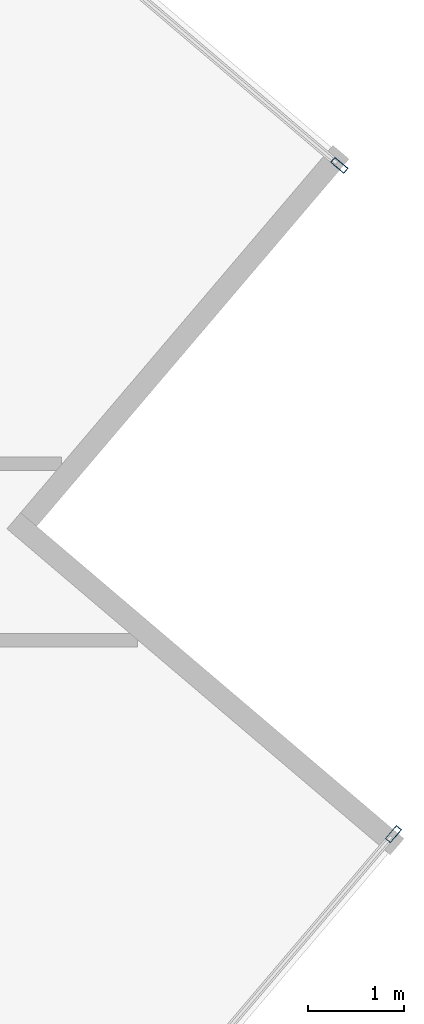
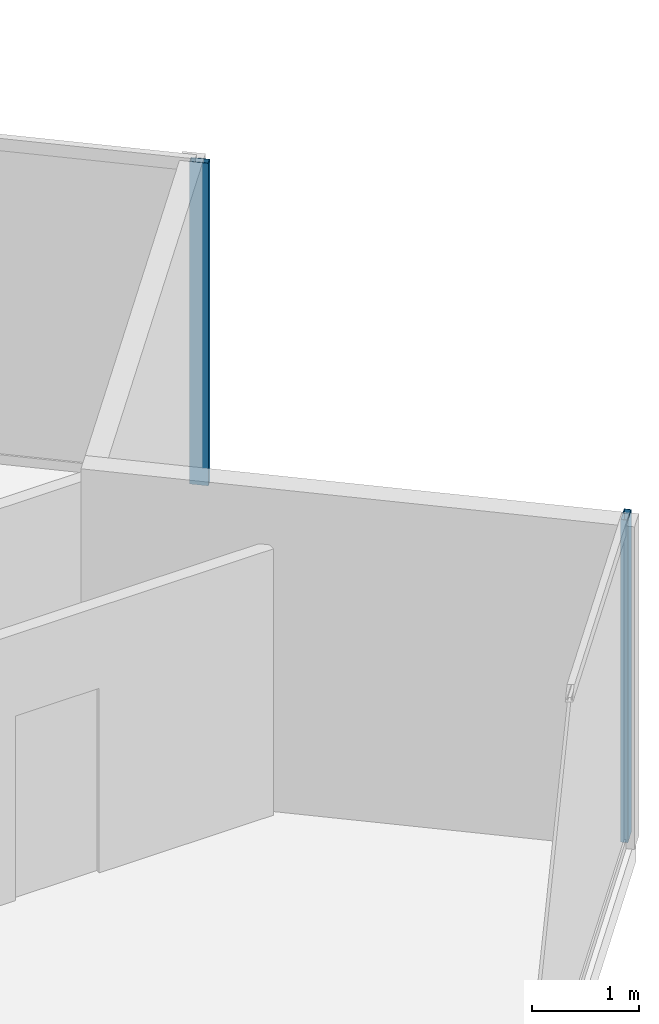
# One storey, part 13 of 26: 2 members, 2 elements without a shape of their own.
"""IFC4 building model written with IfcOpenShell, lengths in metres."""

from ifc_helpers import new_model, si_unit, direction, frame, origin, origin_2d, place, context, subcontext, project, spatial, hollow_rectangle, extrude, source, transform, mapped, material, material_profile, profile_set, type_object, type_shapes, element, aggregate, save


model = new_model("IFC4")

# Units and contexts
model_context = context("Model", 3, precision=1e-05, world=origin(), true_north=direction((0.0, 1.0)))
body_context = subcontext(model_context, "Body", "Model", "MODEL_VIEW")
ifc_project = project(units=[si_unit("LENGTHUNIT", "METRE"), si_unit("AREAUNIT", "SQUARE_METRE"), si_unit("VOLUMEUNIT", "CUBIC_METRE"), si_unit("PLANEANGLEUNIT", "RADIAN"), si_unit("MASSUNIT", "GRAM", prefix="KILO")], contexts=[model_context])

# Site, building, storey
site_placement = place(None, origin())
site = spatial("IfcSite", under=ifc_project, at=site_placement, CompositionType="ELEMENT")
building_placement = place(site_placement, origin())
building = spatial("IfcBuilding", under=site, at=building_placement, Name="Krantzveldt Concourse Tower", CompositionType="ELEMENT")
storey_placement = place(building_placement, frame((0.0, 0.0, 207.300048828125)))
storey = spatial("IfcBuildingStorey", under=building, at=storey_placement, Name="L50", CompositionType="ELEMENT", Elevation=207.300048828125)

# Curtain wall, member
ifc_material = material(Name="Anodised aluminium 6063-T6", Category="aluminium")
curtain_wall_type = type_object("IfcCurtainWallType", Name="CW3", PredefinedType="USERDEFINED", material=ifc_material)
curtain_wall_1_placement = place(storey_placement, origin())
curtain_wall_1 = element("IfcCurtainWall", 1, at=curtain_wall_1_placement, inside=storey, type_object=curtain_wall_type, Name="CW-L50-F07", ObjectType="UNITISED CURTAIN WALL", PredefinedType="USERDEFINED")
ifc_material_profile = material_profile(ifc_material, hollow_rectangle(XDim=0.070068359375, YDim=0.179931640625, WallThickness=0.0048828125, at=origin_2d()), Name="Anodised aluminium 6063-T6", Category="aluminium")
ifc_profile_set = profile_set([ifc_material_profile], Name="Anodised aluminium 6063-T6 - ALU-MULL 180x70x5")
member_type = type_object("IfcMemberType", Name="CW-MUL-180", PredefinedType="MULLION", material=ifc_profile_set)
shared_shape = source(origin(), body_context, "Body", "SweptSolid", [
    extrude(hollow_rectangle(XDim=0.070068359375, YDim=0.179931640625, WallThickness=0.0048828125, at=origin_2d()), origin(), (0.0, 0.0, 1.0), 3.669921875),
])
type_shapes(member_type, [shared_shape])
member_1_placement = place(storey_placement, frame((61.56689453125, 25.26025390625, 0.0), z_axis=(0.0, 0.0, 1.0), x_axis=(-0.761820912327, 0.647787694805, 0.0)))
member_1 = element("IfcMember", 2, at=member_1_placement, type_object=member_type, Name="CW-Z34 mullion 6", PredefinedType="MULLION", context=body_context, shape_type="MappedRepresentation", body=[
    mapped(shared_shape, transform((0.0, 0.0, 0.0), x_axis=(1.0, 0.0, 0.0), y_axis=(0.0, 1.0, 0.0), z_axis=(0.0, 0.0, 1.0), scale=1.0)),
])
aggregate(curtain_wall_1, [member_1])

curtain_wall_2_placement = place(storey_placement, origin())
curtain_wall_2 = element("IfcCurtainWall", 3, at=curtain_wall_2_placement, inside=storey, type_object=curtain_wall_type, Name="CW-L50-F10", ObjectType="UNITISED CURTAIN WALL", PredefinedType="USERDEFINED")
member_2_placement = place(storey_placement, frame((61.0029296875, 32.230712890625, 0.0), z_axis=(0.0, 0.0, 1.0), x_axis=(-0.647787694805, -0.761820912327, 0.0)))
member_2 = element("IfcMember", 4, at=member_2_placement, type_object=member_type, Name="CW-Z34 mullion 1", PredefinedType="MULLION", context=body_context, shape_type="MappedRepresentation", body=[
    mapped(shared_shape, transform((0.0, 0.0, 0.0), x_axis=(1.0, 0.0, 0.0), y_axis=(0.0, 1.0, 0.0), z_axis=(0.0, 0.0, 1.0), scale=1.0)),
])
aggregate(curtain_wall_2, [member_2])

save(model, "model.ifc")
